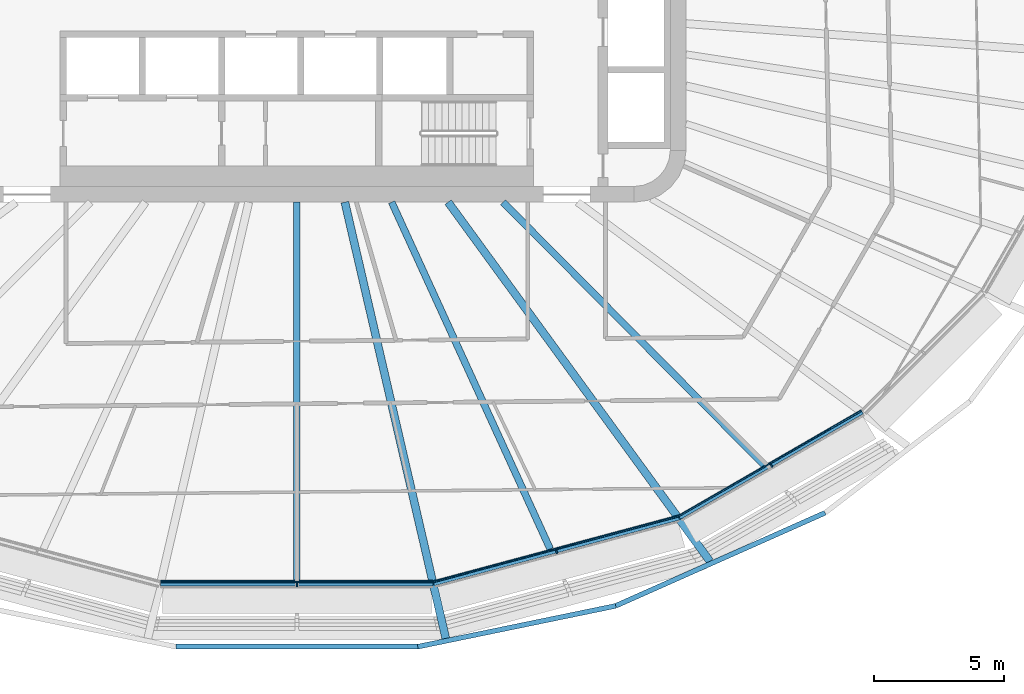
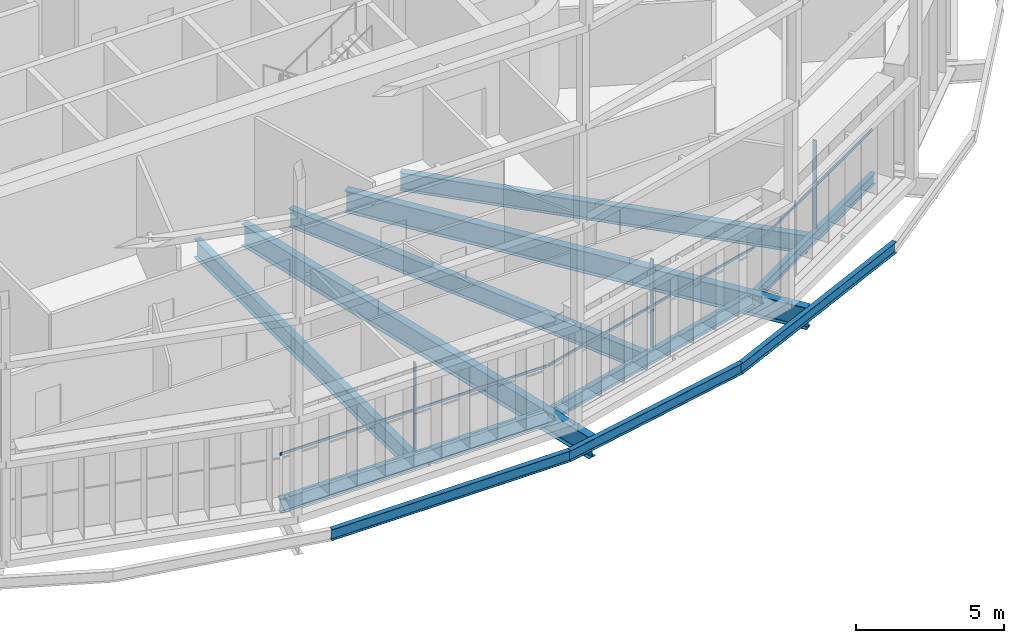
# One storey, part 4 of 23: 11 beams, 6 members, 3 elements without a shape of their own.
"""IFC4 building model written with IfcOpenShell, lengths in metres."""

from ifc_helpers import new_model, si_unit, direction, frame, origin, origin_2d, place, context, subcontext, project, spatial, rectangle, i_section, extrude, material, layer, layer_set, material_profile, profile_set, type_object, element, aggregate, save


model = new_model("IFC4")

# Units and contexts
model_context = context("Model", 3, precision=1e-05, world=origin(), true_north=direction((0.0, 1.0)))
body_context = subcontext(model_context, "Body", "Model", "MODEL_VIEW")
ifc_project = project(units=[si_unit("LENGTHUNIT", "METRE"), si_unit("AREAUNIT", "SQUARE_METRE"), si_unit("VOLUMEUNIT", "CUBIC_METRE"), si_unit("PLANEANGLEUNIT", "RADIAN"), si_unit("MASSUNIT", "GRAM", prefix="KILO")], contexts=[model_context])

# Site, building, storey
site_placement = place(None, origin())
site = spatial("IfcSite", under=ifc_project, at=site_placement, CompositionType="ELEMENT")
building_placement = place(site_placement, origin())
building = spatial("IfcBuilding", under=site, at=building_placement, Name="Sahrelin Media Tower", CompositionType="ELEMENT")
storey_placement = place(building_placement, frame((0.0, 0.0, 54.60009765625)))
storey = spatial("IfcBuildingStorey", under=building, at=storey_placement, Name="L08", CompositionType="ELEMENT", Elevation=54.60009765625)

# Beams
ifc_material_1 = material(Name="Steel S355", Category="steel")
ifc_material_profile_1 = material_profile(ifc_material_1, i_section(OverallWidth=0.1904296875, OverallDepth=0.45703125, WebThickness=0.009033203125, FlangeThickness=0.014404296875, FilletRadius=0.01025390625, at=origin_2d()), Name="UB 457x191x74")
ifc_profile_set_1 = profile_set([ifc_material_profile_1], Name="Steel S355")
beam_type_1 = type_object("IfcBeamType", Name="Edge beam EB5", PredefinedType="BEAM", material=ifc_profile_set_1)
beam_1_placement = place(storey_placement, frame((21.789306640625, -16.07275390625, -0.378662109375), z_axis=(-0.866023644935, -0.500003046405, 0.0), x_axis=(0.500003046405, -0.866023644935, 0.0)))
element("IfcBeam", 1, at=beam_1_placement, inside=storey, type_object=beam_type_1, Name="Edge beam L08-05", PredefinedType="BEAM", context=body_context, shape_type="SweptSolid", body=[
    extrude(i_section(OverallWidth=0.1904296875, OverallDepth=0.45703125, WebThickness=0.009033203125, FlangeThickness=0.014404296875, FilletRadius=0.01025390625, at=origin_2d()), origin(), (0.0, 0.0, 1.0), 8.13427734375),
])
ifc_material_profile_2 = material_profile(ifc_material_1, i_section(OverallWidth=0.208740234375, OverallDepth=0.5283203125, WebThickness=0.009521484375, FlangeThickness=0.01318359375, FilletRadius=0.0126953125, at=origin_2d()), Name="UB 533x210x82")
ifc_profile_set_2 = profile_set([ifc_material_profile_2], Name="Steel S355")
beam_type_2 = type_object("IfcBeamType", Name="Edge beam EB6", PredefinedType="BEAM", material=ifc_profile_set_2)
beam_2_placement = place(storey_placement, frame((14.71826171875, -20.15087890625, -0.414306640625), z_axis=(-0.965922401416, -0.258831826565, 0.0), x_axis=(0.258831826565, -0.965922401416, 0.0)))
element("IfcBeam", 2, at=beam_2_placement, inside=storey, type_object=beam_type_2, Name="Edge beam L08-06", PredefinedType="BEAM", context=body_context, shape_type="SweptSolid", body=[
    extrude(i_section(OverallWidth=0.208740234375, OverallDepth=0.5283203125, WebThickness=0.009521484375, FlangeThickness=0.01318359375, FilletRadius=0.0126953125, at=origin_2d()), origin(), (0.0, 0.0, 1.0), 9.77197265625),
])
ifc_material_profile_3 = material_profile(ifc_material_1, i_section(OverallWidth=0.2275390625, OverallDepth=0.6025390625, WebThickness=0.010498046875, FlangeThickness=0.014892578125, FilletRadius=0.0126953125, at=origin_2d()), Name="UB 610x229x101")
ifc_profile_set_3 = profile_set([ifc_material_profile_3], Name="Steel S355")
beam_type_3 = type_object("IfcBeamType", Name="Edge beam EB7", PredefinedType="BEAM", material=ifc_profile_set_3)
beam_3_placement = place(storey_placement, frame((5.25048828125, -22.683837890625, -0.451416015625), z_axis=(-1.0, 0.0, 0.0), x_axis=(0.0, -1.0, 0.0)))
element("IfcBeam", 3, at=beam_3_placement, inside=storey, type_object=beam_type_3, Name="Edge beam L08-07", PredefinedType="BEAM", context=body_context, shape_type="SweptSolid", body=[
    extrude(i_section(OverallWidth=0.2275390625, OverallDepth=0.6025390625, WebThickness=0.010498046875, FlangeThickness=0.014892578125, FilletRadius=0.0126953125, at=origin_2d()), origin(), (0.0, 0.0, 1.0), 10.5009765625),
])

# Curtain wall, member
ifc_material_2 = material(Name="Champagne anodised aluminium 6063-T6", Category="aluminium")
ifc_layer = layer(ifc_material_2, 0.14990234375)
ifc_layer_set = layer_set([ifc_layer], Name="Tower ribbon curtain wall")
curtain_wall_type = type_object("IfcCurtainWallType", Name="Tower ribbon curtain wall", PredefinedType="NOTDEFINED", material=ifc_layer_set)
curtain_wall_1_placement = place(storey_placement, frame((0.0, -22.833984375, 0.0), z_axis=(0.0, 0.0, 1.0), x_axis=(1.0, 0.0, 0.0)))
curtain_wall_1 = element("IfcCurtainWall", 4, at=curtain_wall_1_placement, inside=storey, type_object=curtain_wall_type, Name="L08:CW:L08-18", PredefinedType="NOTDEFINED")
ifc_material_profile_4 = material_profile(ifc_material_2, rectangle(XDim=0.06005859375, YDim=0.14990234375, at=origin_2d()), Name="Mullion 60x150")
ifc_profile_set_4 = profile_set([ifc_material_profile_4], Name="Champagne anodised aluminium 6063-T6")
member_type_1 = type_object("IfcMemberType", Name="Mullion 60x150 CW1", PredefinedType="MULLION", material=ifc_profile_set_4)
member_1_placement = place(storey_placement, frame((0.0, -22.739013671875, 0.0), z_axis=(0.0, 0.0, 1.0), x_axis=(1.0, 0.0, 0.0)))
member_1 = element("IfcMember", 5, at=member_1_placement, type_object=member_type_1, Name="L08:CWM:L08-18", PredefinedType="MULLION", context=body_context, shape_type="SweptSolid", body=[
    extrude(rectangle(XDim=0.06005859375, YDim=0.14990234375, at=origin_2d()), origin(), (0.0, 0.0, 1.0), 3.6484375),
])

curtain_wall_2_placement = place(storey_placement, frame((10.03759765625, -21.560302734375, 0.0), z_axis=(0.0, 0.0, 1.0), x_axis=(1.0, 0.0, 0.0)))
curtain_wall_2 = element("IfcCurtainWall", 6, at=curtain_wall_2_placement, inside=storey, type_object=curtain_wall_type, Name="L08:CW:L08-19", PredefinedType="NOTDEFINED")
member_2_placement = place(storey_placement, frame((10.012939453125, -21.46875, 0.0), z_axis=(0.0, 0.0, 1.0), x_axis=(0.965926278012, 0.258817359244, 0.0)))
member_2 = element("IfcMember", 7, at=member_2_placement, type_object=member_type_1, Name="L08:CWM:L08-19", PredefinedType="MULLION", context=body_context, shape_type="SweptSolid", body=[
    extrude(rectangle(XDim=0.06005859375, YDim=0.14990234375, at=origin_2d()), origin(), (0.0, 0.0, 1.0), 3.6484375),
])

curtain_wall_3_placement = place(storey_placement, frame((18.342041015625, -18.236328125, 0.0), z_axis=(0.0, 0.0, 1.0), x_axis=(1.0, 0.0, 0.0)))
curtain_wall_3 = element("IfcCurtainWall", 8, at=curtain_wall_3_placement, inside=storey, type_object=curtain_wall_type, Name="L08:CW:L08-20", PredefinedType="NOTDEFINED")
member_3_placement = place(storey_placement, frame((18.294677734375, -18.154052734375, 0.0), z_axis=(0.0, 0.0, 1.0), x_axis=(0.866027149108, 0.499996976998, 0.0)))
member_3 = element("IfcMember", 9, at=member_3_placement, type_object=member_type_1, Name="L08:CWM:L08-20", PredefinedType="MULLION", context=body_context, shape_type="SweptSolid", body=[
    extrude(rectangle(XDim=0.06005859375, YDim=0.14990234375, at=origin_2d()), origin(), (0.0, 0.0, 1.0), 3.6484375),
])

# Beams
ifc_material_profile_5 = material_profile(ifc_material_1, i_section(OverallWidth=0.30322265625, OverallDepth=0.903076171875, WebThickness=0.01513671875, FlangeThickness=0.020263671875, FilletRadius=0.01904296875, at=origin_2d()), Name="UB 914x305x201")
ifc_profile_set_5 = profile_set([ifc_material_profile_5], Name="Steel S355")
beam_type_4 = type_object("IfcBeamType", Name="Radial primary beam PB11", PredefinedType="BEAM", material=ifc_profile_set_5)
beam_4_placement = place(storey_placement, frame((1.8515625, -8.0, -0.6015625), z_axis=(0.225489797677, -0.974245529188, 0.0), x_axis=(0.974245529188, 0.225489797677, 0.0)))
element("IfcBeam", 10, at=beam_4_placement, inside=storey, type_object=beam_type_4, Name="Radial beam L08-19", PredefinedType="BEAM", context=body_context, shape_type="SweptSolid", body=[
    extrude(i_section(OverallWidth=0.30322265625, OverallDepth=0.903076171875, WebThickness=0.01513671875, FlangeThickness=0.020263671875, FilletRadius=0.01904296875, at=origin_2d()), origin(), (0.0, 0.0, 1.0), 17.255126953125),
])
beam_5_placement = place(storey_placement, frame((5.832275390625, -8.0, -0.6015625), z_axis=(0.589106230623, -0.808055597741, 0.0), x_axis=(0.808055597741, 0.589106230623, 0.0)))
element("IfcBeam", 11, at=beam_5_placement, inside=storey, type_object=beam_type_4, Name="Radial beam L08-20", PredefinedType="BEAM", context=body_context, shape_type="SweptSolid", body=[
    extrude(i_section(OverallWidth=0.30322265625, OverallDepth=0.903076171875, WebThickness=0.01513671875, FlangeThickness=0.020263671875, FilletRadius=0.01904296875, at=origin_2d()), origin(), (0.0, 0.0, 1.0), 17.126220703125),
])
ifc_material_profile_6 = material_profile(ifc_material_1, i_section(OverallWidth=0.26513671875, OverallDepth=0.75390625, WebThickness=0.0126953125, FlangeThickness=0.017578125, FilletRadius=0.0166015625, at=origin_2d()), Name="UB 762x267x147")
ifc_profile_set_6 = profile_set([ifc_material_profile_6], Name="Steel S355")
beam_type_5 = type_object("IfcBeamType", Name="Radial secondary beam SB9", PredefinedType="BEAM", material=ifc_profile_set_6)
beam_6_placement = place(storey_placement, frame((0.0, -8.0, -0.527099609375), z_axis=(0.0, -1.0, 0.0), x_axis=(1.0, 0.0, 0.0)))
element("IfcBeam", 12, at=beam_6_placement, inside=storey, type_object=beam_type_5, Name="Secondary beam L08-18", PredefinedType="BEAM", context=body_context, shape_type="SweptSolid", body=[
    extrude(i_section(OverallWidth=0.26513671875, OverallDepth=0.75390625, WebThickness=0.0126953125, FlangeThickness=0.017578125, FilletRadius=0.0166015625, at=origin_2d()), origin(), (0.0, 0.0, 1.0), 14.570068359375),
])
beam_7_placement = place(storey_placement, frame((3.656494140625, -8.0, -0.527099609375), z_axis=(0.41567654801, -0.909512510873, 0.0), x_axis=(0.909512510873, 0.41567654801, 0.0)))
element("IfcBeam", 13, at=beam_7_placement, inside=storey, type_object=beam_type_5, Name="Secondary beam L08-19", PredefinedType="BEAM", context=body_context, shape_type="SweptSolid", body=[
    extrude(i_section(OverallWidth=0.26513671875, OverallDepth=0.75390625, WebThickness=0.0126953125, FlangeThickness=0.017578125, FilletRadius=0.0166015625, at=origin_2d()), origin(), (0.0, 0.0, 1.0), 14.69970703125),
])
beam_8_placement = place(storey_placement, frame((7.947021484375, -8.0, -0.527099609375), z_axis=(0.704754041549, -0.709451718527, 0.0), x_axis=(0.709451718527, 0.704754041549, 0.0)))
element("IfcBeam", 14, at=beam_8_placement, inside=storey, type_object=beam_type_5, Name="Secondary beam L08-20", PredefinedType="BEAM", context=body_context, shape_type="SweptSolid", body=[
    extrude(i_section(OverallWidth=0.26513671875, OverallDepth=0.75390625, WebThickness=0.0126953125, FlangeThickness=0.017578125, FilletRadius=0.0166015625, at=origin_2d()), origin(), (0.0, 0.0, 1.0), 14.2919921875),
])
ifc_material_profile_7 = material_profile(ifc_material_1, i_section(OverallWidth=0.1904296875, OverallDepth=0.45703125, WebThickness=0.009033203125, FlangeThickness=0.014404296875, FilletRadius=0.01025390625, at=origin_2d()), Name="UB 457x191x74")
ifc_profile_set_7 = profile_set([ifc_material_profile_7], Name="Steel S355")
beam_type_6 = type_object("IfcBeamType", Name="Tie chord TC5", PredefinedType="BEAM", material=ifc_profile_set_7)
beam_9_placement = place(storey_placement, frame((-4.6630859375, -25.130615234375, -0.378662109375), z_axis=(1.0, 0.0, 0.0), x_axis=(0.0, 1.0, 0.0)))
element("IfcBeam", 15, at=beam_9_placement, inside=storey, type_object=beam_type_6, Name="Tie chord L08-18", PredefinedType="BEAM", context=body_context, shape_type="SweptSolid", body=[
    extrude(i_section(OverallWidth=0.1904296875, OverallDepth=0.45703125, WebThickness=0.009033203125, FlangeThickness=0.014404296875, FilletRadius=0.01025390625, at=origin_2d()), origin(), (0.0, 0.0, 1.0), 9.326171875),
])
beam_10_placement = place(storey_placement, frame((4.6630859375, -25.130615234375, -0.378662109375), z_axis=(0.979388114358, 0.201987428952, 0.0), x_axis=(-0.201987428952, 0.979388114358, 0.0)))
element("IfcBeam", 16, at=beam_10_placement, inside=storey, type_object=beam_type_6, Name="Tie chord L08-19", PredefinedType="BEAM", context=body_context, shape_type="SweptSolid", body=[
    extrude(i_section(OverallWidth=0.1904296875, OverallDepth=0.45703125, WebThickness=0.009033203125, FlangeThickness=0.014404296875, FilletRadius=0.01025390625, at=origin_2d()), origin(), (0.0, 0.0, 1.0), 7.783935546875),
])
beam_11_placement = place(storey_placement, frame((12.28662109375, -23.558349609375, -0.378662109375), z_axis=(0.913822939174, 0.406112836338, 0.0), x_axis=(-0.406112836338, 0.913822939174, 0.0)))
element("IfcBeam", 17, at=beam_11_placement, inside=storey, type_object=beam_type_6, Name="Tie chord L08-20", PredefinedType="BEAM", context=body_context, shape_type="SweptSolid", body=[
    extrude(i_section(OverallWidth=0.1904296875, OverallDepth=0.45703125, WebThickness=0.009033203125, FlangeThickness=0.014404296875, FilletRadius=0.01025390625, at=origin_2d()), origin(), (0.0, 0.0, 1.0), 8.83837890625),
])

# Member
ifc_material_profile_8 = material_profile(ifc_material_2, rectangle(XDim=0.050048828125, YDim=0.10009765625, at=origin_2d()), Name="Transom 50x100")
ifc_profile_set_8 = profile_set([ifc_material_profile_8], Name="Champagne anodised aluminium 6063-T6")
member_type_2 = type_object("IfcMemberType", Name="Transom 50x100 CW1", PredefinedType="USERDEFINED", material=ifc_profile_set_8)
member_4_placement = place(storey_placement, frame((-5.23486328125, -22.638916015625, 1.599853515625), z_axis=(1.0, 0.0, 0.0), x_axis=(0.0, 1.0, 0.0)))
member_4 = element("IfcMember", 18, at=member_4_placement, type_object=member_type_2, Name="L08:CWT:L08-18", ObjectType="TRANSOM", PredefinedType="USERDEFINED", context=body_context, shape_type="SweptSolid", body=[
    extrude(rectangle(XDim=0.050048828125, YDim=0.10009765625, at=origin_2d()), origin(), (0.0, 0.0, 1.0), 10.4697265625),
])

aggregate(curtain_wall_1, [member_1, member_4])

member_5_placement = place(storey_placement, frame((5.28271484375, -22.632568359375, 1.599853515625), z_axis=(0.965927242268, 0.258813760539, 0.0), x_axis=(-0.258813760539, 0.965927242268, 0.0)))
member_5 = element("IfcMember", 19, at=member_5_placement, type_object=member_type_2, Name="L08:CWT:L08-19", ObjectType="TRANSOM", PredefinedType="USERDEFINED", context=body_context, shape_type="SweptSolid", body=[
    extrude(rectangle(XDim=0.050048828125, YDim=0.10009765625, at=origin_2d()), origin(), (0.0, 0.0, 1.0), 9.740478515625),
])

aggregate(curtain_wall_2, [member_2, member_5])

member_6_placement = place(storey_placement, frame((14.73583984375, -20.093017578125, 1.599853515625), z_axis=(0.866035564294, 0.499982401068, 0.0), x_axis=(-0.499982401068, 0.866035564294, 0.0)))
member_6 = element("IfcMember", 20, at=member_6_placement, type_object=member_type_2, Name="L08:CWT:L08-20", ObjectType="TRANSOM", PredefinedType="USERDEFINED", context=body_context, shape_type="SweptSolid", body=[
    extrude(rectangle(XDim=0.050048828125, YDim=0.10009765625, at=origin_2d()), origin(), (0.0, 0.0, 1.0), 8.102783203125),
])

aggregate(curtain_wall_3, [member_3, member_6])

save(model, "model.ifc")
